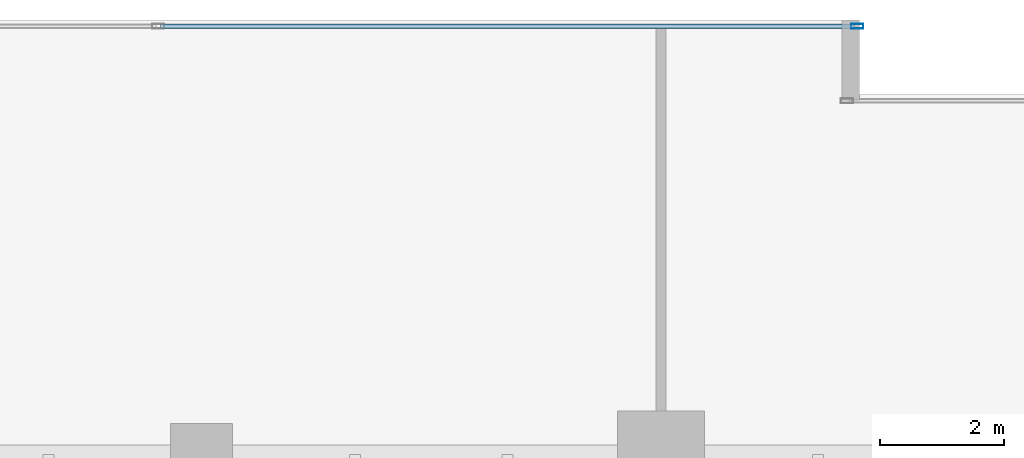
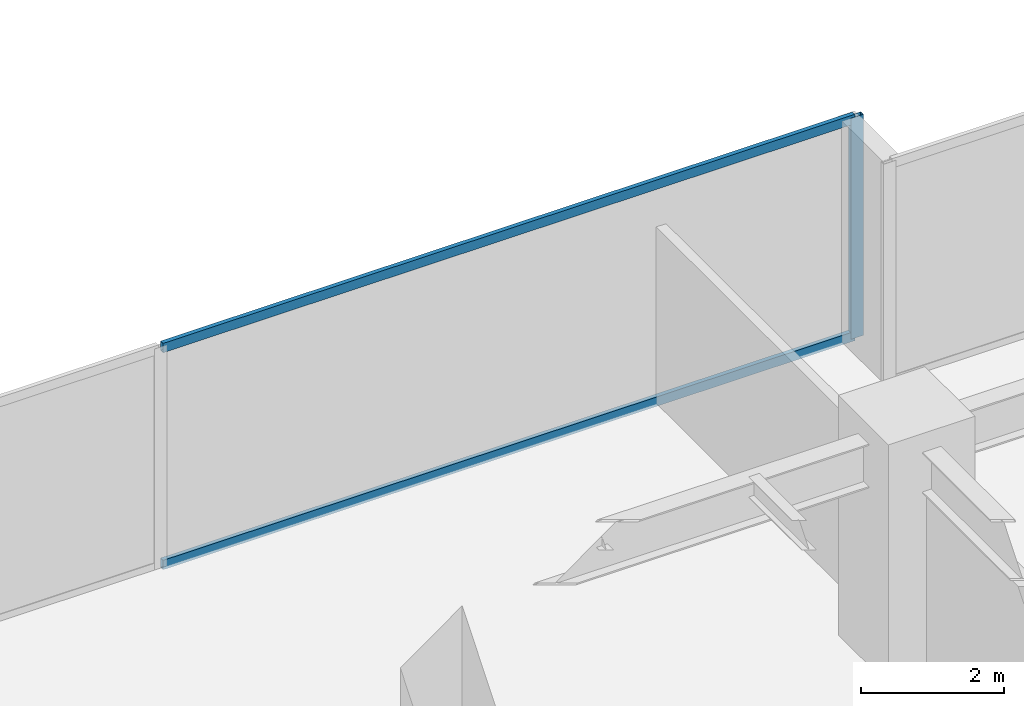
# One storey, part 16 of 35: 3 members, 1 element without a shape of its own.
"""IFC4 building model written with IfcOpenShell, lengths in metres."""

from ifc_helpers import new_model, si_unit, direction, frame, origin, origin_2d, place, context, subcontext, project, spatial, hollow_rectangle, extrude, source, transform, mapped, material, layer, layer_set, material_profile, profile_set, type_object, type_shapes, element, aggregate, save


model = new_model("IFC4")

# Units and contexts
model_context = context("Model", 3, precision=1e-05, world=origin(), true_north=direction((0.0, 1.0)))
body_context = subcontext(model_context, "Body", "Model", "MODEL_VIEW")
ifc_project = project(units=[si_unit("LENGTHUNIT", "METRE"), si_unit("AREAUNIT", "SQUARE_METRE"), si_unit("VOLUMEUNIT", "CUBIC_METRE"), si_unit("PLANEANGLEUNIT", "RADIAN"), si_unit("MASSUNIT", "GRAM", prefix="KILO")], contexts=[model_context])

# Site, building, storey
site_placement = place(None, origin())
site = spatial("IfcSite", under=ifc_project, at=site_placement, CompositionType="ELEMENT")
building_placement = place(site_placement, origin())
building = spatial("IfcBuilding", under=site, at=building_placement, Name="Haelvirn Gate Laboratories", CompositionType="ELEMENT")
storey_placement = place(building_placement, frame((0.0, 0.0, 41.60009765625)))
storey = spatial("IfcBuildingStorey", under=building, at=storey_placement, Name="L10", CompositionType="ELEMENT", Elevation=41.60009765625)

# Curtain wall, members
ifc_material_1 = material(Name="Anodised bronze unitised aluminium & triple low-E glass", Category="aluminium")
ifc_layer = layer(ifc_material_1, 0.18408203125, Name="CW-SYS-2")
ifc_layer_set = layer_set([ifc_layer], Name="Anodised bronze unitised aluminium & triple low-E glass")
curtain_wall_type = type_object("IfcCurtainWallType", Name="CW-SYS-2", PredefinedType="NOTDEFINED", material=ifc_layer_set)
curtain_wall_placement = place(storey_placement, origin())
curtain_wall = element("IfcCurtainWall", 1, at=curtain_wall_placement, inside=storey, type_object=curtain_wall_type, Name="L10 Unitised Curtain Wall CW-L10-P0-E14-1", PredefinedType="NOTDEFINED")
ifc_material_2 = material(Name="Extruded aluminium 6063-T6 (anodised bronze)", Category="aluminium")
ifc_material_profile_1 = material_profile(ifc_material_2, hollow_rectangle(XDim=0.070068359375, YDim=0.159912109375, WallThickness=0.0048828125, at=origin_2d()), Name="CWT-160x70x5")
ifc_profile_set_1 = profile_set([ifc_material_profile_1], Name="Extruded aluminium 6063-T6 (anodised bronze)")
member_type_1 = type_object("IfcMemberType", Name="CWT-T160", PredefinedType="USERDEFINED", material=ifc_profile_set_1)
shared_shape_1 = source(origin(), body_context, "Body", "SweptSolid", [
    extrude(hollow_rectangle(XDim=0.070068359375, YDim=0.159912109375, WallThickness=0.0048828125, at=origin_2d()), origin(), (0.0, 0.0, 1.0), 11.1875),
])
type_shapes(member_type_1, [shared_shape_1])
member_1_placement = place(storey_placement, frame((14.137451171875, 48.5, 0.034912109375), z_axis=(1.0, 0.0, 0.0), x_axis=(0.0, 1.0, 0.0)))
member_1 = element("IfcMember", 2, at=member_1_placement, type_object=member_type_1, Name="CW2 transom 2.1", ObjectType="TRANSOM", PredefinedType="USERDEFINED", context=body_context, shape_type="MappedRepresentation", body=[
    mapped(shared_shape_1, transform((0.0, 0.0, 0.0), scale=1.0)),
])
member_2_placement = place(storey_placement, frame((14.137451171875, 48.5, 3.744873046875), z_axis=(1.0, 0.0, 0.0), x_axis=(0.0, 1.0, 0.0)))
member_2 = element("IfcMember", 3, at=member_2_placement, type_object=member_type_1, Name="CW2 transom 2.2", ObjectType="TRANSOM", PredefinedType="USERDEFINED", context=body_context, shape_type="MappedRepresentation", body=[
    mapped(shared_shape_1, transform((0.0, 0.0, 0.0), scale=1.0)),
])
ifc_material_profile_2 = material_profile(ifc_material_2, hollow_rectangle(XDim=0.074951171875, YDim=0.199951171875, WallThickness=0.0048828125, at=origin_2d()), Name="CWM-200x75x5")
ifc_profile_set_2 = profile_set([ifc_material_profile_2], Name="Extruded aluminium 6063-T6 (anodised bronze)")
member_type_2 = type_object("IfcMemberType", Name="CWM-T200", PredefinedType="MULLION", material=ifc_profile_set_2)
shared_shape_2 = source(origin(), body_context, "Body", "SweptSolid", [
    extrude(hollow_rectangle(XDim=0.074951171875, YDim=0.199951171875, WallThickness=0.0048828125, at=origin_2d()), origin(), (0.0, 0.0, 1.0), 3.77978515625),
])
type_shapes(member_type_2, [shared_shape_2])
member_3_placement = place(storey_placement, frame((25.362548828125, 48.5, 0.0), z_axis=(0.0, 0.0, 1.0), x_axis=(0.0, 1.0, 0.0)))
member_3 = element("IfcMember", 4, at=member_3_placement, type_object=member_type_2, Name="CW2 mullion 3", PredefinedType="MULLION", context=body_context, shape_type="MappedRepresentation", body=[
    mapped(shared_shape_2, transform((0.0, 0.0, 0.0), scale=1.0)),
])
aggregate(curtain_wall, [member_3, member_1, member_2])

save(model, "model.ifc")
